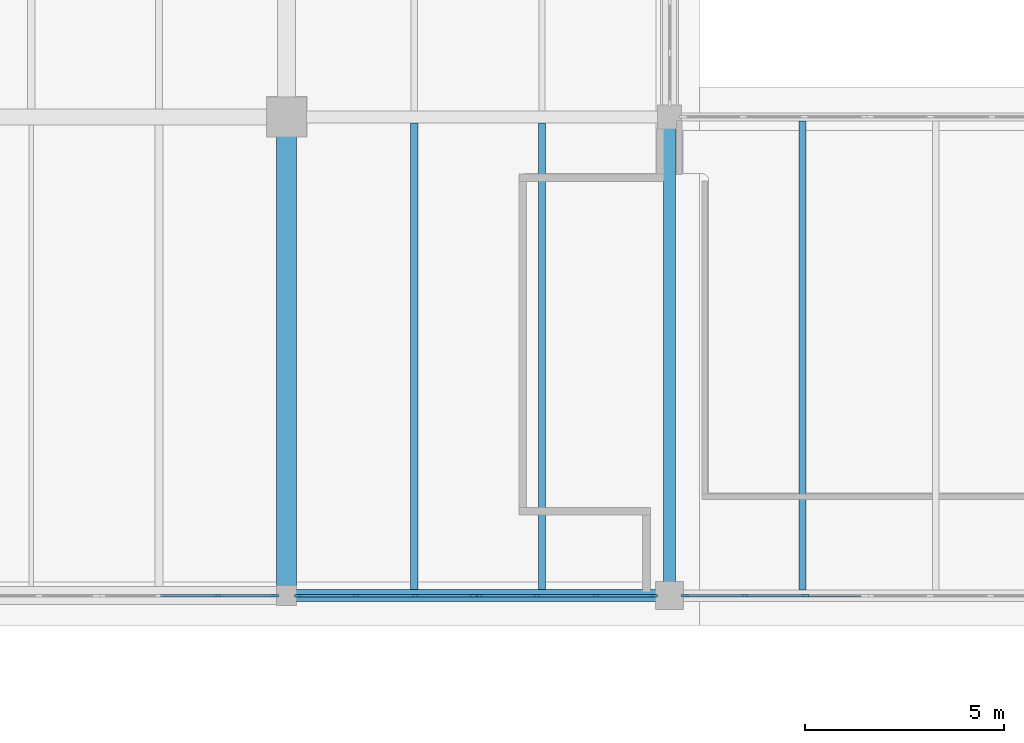
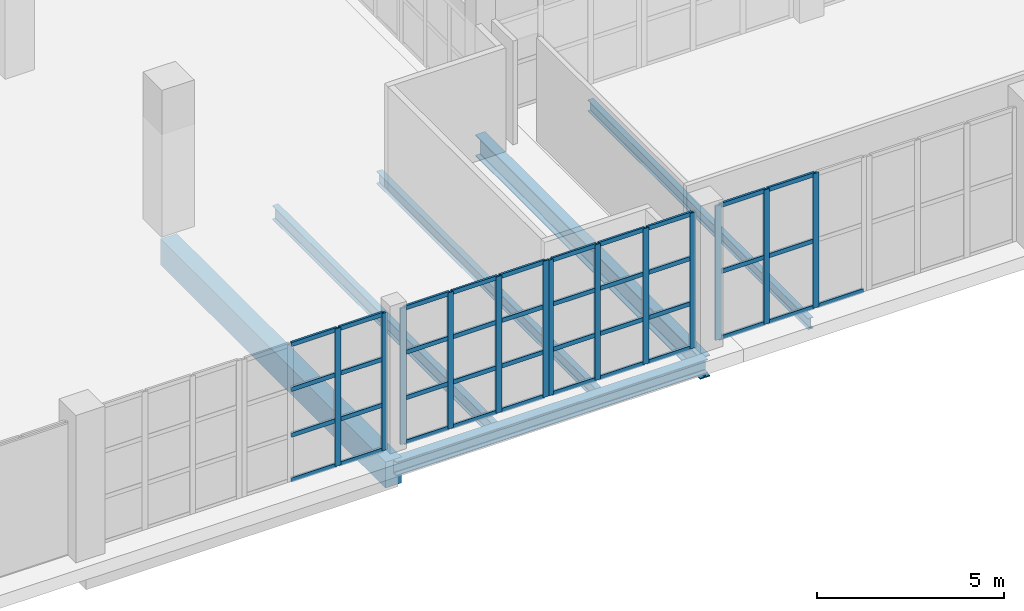
# One storey, part 28 of 121: 52 members, 6 beams, 4 elements without a shape of their own.
"""IFC4 building model written with IfcOpenShell, lengths in metres."""

from ifc_helpers import new_model, si_unit, direction, frame, origin, origin_2d, place, context, subcontext, project, spatial, rectangle, i_section, extrude, material, layer, layer_set, material_profile, profile_set, type_object, element, aggregate, save


model = new_model("IFC4")

# Units and contexts
model_context = context("Model", 3, precision=1e-05, world=origin(), true_north=direction((0.0, 1.0)))
body_context = subcontext(model_context, "Body", "Model", "MODEL_VIEW")
ifc_project = project(units=[si_unit("LENGTHUNIT", "METRE"), si_unit("AREAUNIT", "SQUARE_METRE"), si_unit("VOLUMEUNIT", "CUBIC_METRE"), si_unit("PLANEANGLEUNIT", "RADIAN"), si_unit("MASSUNIT", "GRAM", prefix="KILO")], contexts=[model_context])

# Site, building, storey
site_placement = place(None, origin())
site = spatial("IfcSite", under=ifc_project, at=site_placement, CompositionType="ELEMENT")
building_placement = place(site_placement, origin())
building = spatial("IfcBuilding", under=site, at=building_placement, Name="Zereglee Splitstone Museum", CompositionType="ELEMENT")
storey_placement = place(building_placement, origin())
storey = spatial("IfcBuildingStorey", under=building, at=storey_placement, Name="L00", CompositionType="ELEMENT", Elevation=0.0)

# Beam
ifc_material_1 = material(Name="Concrete C40/50", Category="concrete")
ifc_material_profile_1 = material_profile(ifc_material_1, rectangle(XDim=0.5, YDim=0.85009765625, at=origin_2d()), Name="RC 500x850")
ifc_profile_set_1 = profile_set([ifc_material_profile_1], Name="Concrete C40/50")
beam_type_1 = type_object("IfcBeamType", Name="BG-02", PredefinedType="BEAM", material=ifc_profile_set_1)
beam_1_placement = place(storey_placement, frame((135.60009765625, 9.60009765625, -0.844970703125), z_axis=(0.0, 1.0, 0.0), x_axis=(-1.0, 0.0, 0.0)))
element("IfcBeam", 1, at=beam_1_placement, inside=storey, type_object=beam_type_1, Name="Primary Girder L00 16 (9.6-21.6)", PredefinedType="BEAM", context=body_context, shape_type="SweptSolid", body=[
    extrude(rectangle(XDim=0.5, YDim=0.85009765625, at=origin_2d()), origin(), (0.0, 0.0, 1.0), 12.0),
])

# Curtain wall, members
ifc_material_2 = material(Name="Triple-glazed low-E argon glass and bronze-anodised aluminium", Category="aluminium")
ifc_layer_1 = layer(ifc_material_2, 0.179931640625)
ifc_layer_set_1 = layer_set([ifc_layer_1], Name="Triple-glazed low-E argon glass and bronze-anodised aluminium")
curtain_wall_type_1 = type_object("IfcCurtainWallType", Name="CW-0440-448", PredefinedType="USERDEFINED", material=ifc_layer_set_1)
curtain_wall_1_placement = place(storey_placement, origin())
curtain_wall_1 = element("IfcCurtainWall", 2, at=curtain_wall_1_placement, inside=storey, type_object=curtain_wall_type_1, Name="Glazed Curtain Wall CW-0440-448 (L00)", ObjectType="GLAZED CURTAIN WALL", PredefinedType="USERDEFINED")
ifc_material_3 = material(Name="Thermally broken bronze-anodised aluminium", Category="aluminium")
ifc_material_profile_2 = material_profile(ifc_material_3, rectangle(XDim=0.06494140625, YDim=0.179931640625, at=origin_2d()), Name="CW MULL 65x180")
ifc_profile_set_2 = profile_set([ifc_material_profile_2], Name="Thermally broken bronze-anodised aluminium")
member_type_1 = type_object("IfcMemberType", Name="CWM-01", PredefinedType="MULLION", material=ifc_profile_set_2)
member_1_placement = place(storey_placement, frame((133.874755859375, 9.60009765625, 0.0), z_axis=(0.0, 0.0, 1.0), x_axis=(0.0, 1.0, 0.0)))
member_1 = element("IfcMember", 3, at=member_1_placement, type_object=member_type_1, Name="CW-0440-448 mullion 3", PredefinedType="MULLION", context=body_context, shape_type="SweptSolid", body=[
    extrude(rectangle(XDim=0.06494140625, YDim=0.179931640625, at=origin_2d()), origin(), (0.0, 0.0, 1.0), 4.47998046875),
])
member_2_placement = place(storey_placement, frame((135.3095703125, 9.60009765625, 0.0), z_axis=(0.0, 0.0, 1.0), x_axis=(0.0, 1.0, 0.0)))
member_2 = element("IfcMember", 4, at=member_2_placement, type_object=member_type_1, Name="CW-0440-448 mullion 4", PredefinedType="MULLION", context=body_context, shape_type="SweptSolid", body=[
    extrude(rectangle(XDim=0.06494140625, YDim=0.179931640625, at=origin_2d()), origin(), (0.0, 0.0, 1.0), 4.47998046875),
])

ifc_layer_2 = layer(ifc_material_2, 0.179931640625)
ifc_layer_set_2 = layer_set([ifc_layer_2], Name="Triple-glazed low-E argon glass and bronze-anodised aluminium")
curtain_wall_type_2 = type_object("IfcCurtainWallType", Name="CW-0445-444", PredefinedType="USERDEFINED", material=ifc_layer_set_2)
curtain_wall_2_placement = place(storey_placement, origin())
curtain_wall_2 = element("IfcCurtainWall", 5, at=curtain_wall_2_placement, inside=storey, type_object=curtain_wall_type_2, Name="Glazed Curtain Wall CW-0445-444 (L00)", ObjectType="GLAZED CURTAIN WALL", PredefinedType="USERDEFINED")
member_3_placement = place(storey_placement, frame((135.890380859375, 9.60009765625, 0.0), z_axis=(0.0, 0.0, 1.0), x_axis=(0.0, 1.0, 0.0)))
member_3 = element("IfcMember", 6, at=member_3_placement, type_object=member_type_1, Name="CW-0445-444 mullion 1", PredefinedType="MULLION", context=body_context, shape_type="SweptSolid", body=[
    extrude(rectangle(XDim=0.06494140625, YDim=0.179931640625, at=origin_2d()), origin(), (0.0, 0.0, 1.0), 4.43994140625),
])
member_4_placement = place(storey_placement, frame((137.342041015625, 9.60009765625, 0.0), z_axis=(0.0, 0.0, 1.0), x_axis=(0.0, 1.0, 0.0)))
member_4 = element("IfcMember", 7, at=member_4_placement, type_object=member_type_1, Name="CW-0445-444 mullion 2", PredefinedType="MULLION", context=body_context, shape_type="SweptSolid", body=[
    extrude(rectangle(XDim=0.06494140625, YDim=0.179931640625, at=origin_2d()), origin(), (0.0, 0.0, 1.0), 4.43994140625),
])
member_5_placement = place(storey_placement, frame((138.825927734375, 9.60009765625, 0.0), z_axis=(0.0, 0.0, 1.0), x_axis=(0.0, 1.0, 0.0)))
member_5 = element("IfcMember", 8, at=member_5_placement, type_object=member_type_1, Name="CW-0445-444 mullion 3", PredefinedType="MULLION", context=body_context, shape_type="SweptSolid", body=[
    extrude(rectangle(XDim=0.06494140625, YDim=0.179931640625, at=origin_2d()), origin(), (0.0, 0.0, 1.0), 4.43994140625),
])
member_6_placement = place(storey_placement, frame((140.277587890625, 9.60009765625, 0.0), z_axis=(0.0, 0.0, 1.0), x_axis=(0.0, 1.0, 0.0)))
member_6 = element("IfcMember", 9, at=member_6_placement, type_object=member_type_1, Name="CW-0445-444 mullion 4", PredefinedType="MULLION", context=body_context, shape_type="SweptSolid", body=[
    extrude(rectangle(XDim=0.06494140625, YDim=0.179931640625, at=origin_2d()), origin(), (0.0, 0.0, 1.0), 4.43994140625),
])

ifc_layer_3 = layer(ifc_material_2, 0.179931640625)
ifc_layer_set_3 = layer_set([ifc_layer_3], Name="Triple-glazed low-E argon glass and bronze-anodised aluminium")
curtain_wall_type_3 = type_object("IfcCurtainWallType", Name="CW-0445-442", PredefinedType="USERDEFINED", material=ifc_layer_set_3)
curtain_wall_3_placement = place(storey_placement, origin())
curtain_wall_3 = element("IfcCurtainWall", 10, at=curtain_wall_3_placement, inside=storey, type_object=curtain_wall_type_3, Name="Glazed Curtain Wall CW-0445-442 (L00)", ObjectType="GLAZED CURTAIN WALL", PredefinedType="USERDEFINED")
member_7_placement = place(storey_placement, frame((140.422607421875, 9.60009765625, 0.0), z_axis=(0.0, 0.0, 1.0), x_axis=(0.0, 1.0, 0.0)))
member_7 = element("IfcMember", 11, at=member_7_placement, type_object=member_type_1, Name="CW-0445-442 mullion 1", PredefinedType="MULLION", context=body_context, shape_type="SweptSolid", body=[
    extrude(rectangle(XDim=0.06494140625, YDim=0.179931640625, at=origin_2d()), origin(), (0.0, 0.0, 1.0), 4.419921875),
])
member_8_placement = place(storey_placement, frame((141.8740234375, 9.60009765625, 0.0), z_axis=(0.0, 0.0, 1.0), x_axis=(0.0, 1.0, 0.0)))
member_8 = element("IfcMember", 12, at=member_8_placement, type_object=member_type_1, Name="CW-0445-442 mullion 2", PredefinedType="MULLION", context=body_context, shape_type="SweptSolid", body=[
    extrude(rectangle(XDim=0.06494140625, YDim=0.179931640625, at=origin_2d()), origin(), (0.0, 0.0, 1.0), 4.419921875),
])
member_9_placement = place(storey_placement, frame((143.35791015625, 9.60009765625, 0.0), z_axis=(0.0, 0.0, 1.0), x_axis=(0.0, 1.0, 0.0)))
member_9 = element("IfcMember", 13, at=member_9_placement, type_object=member_type_1, Name="CW-0445-442 mullion 3", PredefinedType="MULLION", context=body_context, shape_type="SweptSolid", body=[
    extrude(rectangle(XDim=0.06494140625, YDim=0.179931640625, at=origin_2d()), origin(), (0.0, 0.0, 1.0), 4.419921875),
])
member_10_placement = place(storey_placement, frame((144.8095703125, 9.60009765625, 0.0), z_axis=(0.0, 0.0, 1.0), x_axis=(0.0, 1.0, 0.0)))
member_10 = element("IfcMember", 14, at=member_10_placement, type_object=member_type_1, Name="CW-0445-442 mullion 4", PredefinedType="MULLION", context=body_context, shape_type="SweptSolid", body=[
    extrude(rectangle(XDim=0.06494140625, YDim=0.179931640625, at=origin_2d()), origin(), (0.0, 0.0, 1.0), 4.419921875),
])

ifc_layer_4 = layer(ifc_material_2, 0.179931640625)
ifc_layer_set_4 = layer_set([ifc_layer_4], Name="Triple-glazed low-E argon glass and bronze-anodised aluminium")
curtain_wall_type_4 = type_object("IfcCurtainWallType", Name="CW-0456-438", PredefinedType="USERDEFINED", material=ifc_layer_set_4)
curtain_wall_4_placement = place(storey_placement, origin())
curtain_wall_4 = element("IfcCurtainWall", 15, at=curtain_wall_4_placement, inside=storey, type_object=curtain_wall_type_4, Name="Glazed Curtain Wall CW-0456-438 (L00)", ObjectType="GLAZED CURTAIN WALL", PredefinedType="USERDEFINED")
member_11_placement = place(storey_placement, frame((145.590576171875, 9.60009765625, 0.0), z_axis=(0.0, 0.0, 1.0), x_axis=(0.0, 1.0, 0.0)))
member_11 = element("IfcMember", 16, at=member_11_placement, type_object=member_type_1, Name="CW-0456-438 mullion 1", PredefinedType="MULLION", context=body_context, shape_type="SweptSolid", body=[
    extrude(rectangle(XDim=0.06494140625, YDim=0.179931640625, at=origin_2d()), origin(), (0.0, 0.0, 1.0), 4.3798828125),
])
member_12_placement = place(storey_placement, frame((147.07958984375, 9.60009765625, 0.0), z_axis=(0.0, 0.0, 1.0), x_axis=(0.0, 1.0, 0.0)))
member_12 = element("IfcMember", 17, at=member_12_placement, type_object=member_type_1, Name="CW-0456-438 mullion 2", PredefinedType="MULLION", context=body_context, shape_type="SweptSolid", body=[
    extrude(rectangle(XDim=0.06494140625, YDim=0.179931640625, at=origin_2d()), origin(), (0.0, 0.0, 1.0), 4.3798828125),
])
member_13_placement = place(storey_placement, frame((148.60107421875, 9.60009765625, 0.0), z_axis=(0.0, 0.0, 1.0), x_axis=(0.0, 1.0, 0.0)))
member_13 = element("IfcMember", 18, at=member_13_placement, type_object=member_type_1, Name="CW-0456-438 mullion 3", PredefinedType="MULLION", context=body_context, shape_type="SweptSolid", body=[
    extrude(rectangle(XDim=0.06494140625, YDim=0.179931640625, at=origin_2d()), origin(), (0.0, 0.0, 1.0), 4.3798828125),
])

# Member
ifc_material_profile_3 = material_profile(ifc_material_3, rectangle(XDim=0.06494140625, YDim=0.139892578125, at=origin_2d()), Name="CW TRAN 65x140")
ifc_profile_set_3 = profile_set([ifc_material_profile_3], Name="Thermally broken bronze-anodised aluminium")
member_type_2 = type_object("IfcMemberType", Name="CWT-01", PredefinedType="USERDEFINED", material=ifc_profile_set_3)
member_14_placement = place(storey_placement, frame((132.43994140625, 9.60009765625, 0.032470703125), z_axis=(1.0, 0.0, 0.0), x_axis=(0.0, 1.0, 0.0)))
member_14 = element("IfcMember", 19, at=member_14_placement, type_object=member_type_2, Name="CW-0440-448 transom 2.1", ObjectType="TRANSOM", PredefinedType="USERDEFINED", context=body_context, shape_type="SweptSolid", body=[
    extrude(rectangle(XDim=0.06494140625, YDim=0.139892578125, at=origin_2d()), origin(), (0.0, 0.0, 1.0), 1.40234375),
])

member_15_placement = place(storey_placement, frame((132.43994140625, 9.60009765625, 1.493408203125), z_axis=(1.0, 0.0, 0.0), x_axis=(0.0, 1.0, 0.0)))
member_15 = element("IfcMember", 20, at=member_15_placement, type_object=member_type_2, Name="CW-0440-448 transom 2.2", ObjectType="TRANSOM", PredefinedType="USERDEFINED", context=body_context, shape_type="SweptSolid", body=[
    extrude(rectangle(XDim=0.06494140625, YDim=0.139892578125, at=origin_2d()), origin(), (0.0, 0.0, 1.0), 1.40234375),
])

member_16_placement = place(storey_placement, frame((132.43994140625, 9.60009765625, 2.98681640625), z_axis=(1.0, 0.0, 0.0), x_axis=(0.0, 1.0, 0.0)))
member_16 = element("IfcMember", 21, at=member_16_placement, type_object=member_type_2, Name="CW-0440-448 transom 2.3", ObjectType="TRANSOM", PredefinedType="USERDEFINED", context=body_context, shape_type="SweptSolid", body=[
    extrude(rectangle(XDim=0.06494140625, YDim=0.139892578125, at=origin_2d()), origin(), (0.0, 0.0, 1.0), 1.40234375),
])

member_17_placement = place(storey_placement, frame((132.43994140625, 9.60009765625, 4.447509765625), z_axis=(1.0, 0.0, 0.0), x_axis=(0.0, 1.0, 0.0)))
member_17 = element("IfcMember", 22, at=member_17_placement, type_object=member_type_2, Name="CW-0440-448 transom 2.4", ObjectType="TRANSOM", PredefinedType="USERDEFINED", context=body_context, shape_type="SweptSolid", body=[
    extrude(rectangle(XDim=0.06494140625, YDim=0.139892578125, at=origin_2d()), origin(), (0.0, 0.0, 1.0), 1.40234375),
])

member_18_placement = place(storey_placement, frame((133.9072265625, 9.60009765625, 0.032470703125), z_axis=(1.0, 0.0, 0.0), x_axis=(0.0, 1.0, 0.0)))
member_18 = element("IfcMember", 23, at=member_18_placement, type_object=member_type_2, Name="CW-0440-448 transom 3.1", ObjectType="TRANSOM", PredefinedType="USERDEFINED", context=body_context, shape_type="SweptSolid", body=[
    extrude(rectangle(XDim=0.06494140625, YDim=0.139892578125, at=origin_2d()), origin(), (0.0, 0.0, 1.0), 1.369873046875),
])

member_19_placement = place(storey_placement, frame((133.9072265625, 9.60009765625, 1.493408203125), z_axis=(1.0, 0.0, 0.0), x_axis=(0.0, 1.0, 0.0)))
member_19 = element("IfcMember", 24, at=member_19_placement, type_object=member_type_2, Name="CW-0440-448 transom 3.2", ObjectType="TRANSOM", PredefinedType="USERDEFINED", context=body_context, shape_type="SweptSolid", body=[
    extrude(rectangle(XDim=0.06494140625, YDim=0.139892578125, at=origin_2d()), origin(), (0.0, 0.0, 1.0), 1.369873046875),
])

member_20_placement = place(storey_placement, frame((133.9072265625, 9.60009765625, 2.98681640625), z_axis=(1.0, 0.0, 0.0), x_axis=(0.0, 1.0, 0.0)))
member_20 = element("IfcMember", 25, at=member_20_placement, type_object=member_type_2, Name="CW-0440-448 transom 3.3", ObjectType="TRANSOM", PredefinedType="USERDEFINED", context=body_context, shape_type="SweptSolid", body=[
    extrude(rectangle(XDim=0.06494140625, YDim=0.139892578125, at=origin_2d()), origin(), (0.0, 0.0, 1.0), 1.369873046875),
])

member_21_placement = place(storey_placement, frame((133.9072265625, 9.60009765625, 4.447509765625), z_axis=(1.0, 0.0, 0.0), x_axis=(0.0, 1.0, 0.0)))
member_21 = element("IfcMember", 26, at=member_21_placement, type_object=member_type_2, Name="CW-0440-448 transom 3.4", ObjectType="TRANSOM", PredefinedType="USERDEFINED", context=body_context, shape_type="SweptSolid", body=[
    extrude(rectangle(XDim=0.06494140625, YDim=0.139892578125, at=origin_2d()), origin(), (0.0, 0.0, 1.0), 1.369873046875),
])

aggregate(curtain_wall_1, [member_1, member_2, member_14, member_15, member_16, member_17, member_18, member_19, member_20, member_21])

member_22_placement = place(storey_placement, frame((135.923095703125, 9.60009765625, 0.032470703125), z_axis=(1.0, 0.0, 0.0), x_axis=(0.0, 1.0, 0.0)))
member_22 = element("IfcMember", 27, at=member_22_placement, type_object=member_type_2, Name="CW-0445-444 transom 1.1", ObjectType="TRANSOM", PredefinedType="USERDEFINED", context=body_context, shape_type="SweptSolid", body=[
    extrude(rectangle(XDim=0.06494140625, YDim=0.139892578125, at=origin_2d()), origin(), (0.0, 0.0, 1.0), 1.386474609375),
])

member_23_placement = place(storey_placement, frame((135.923095703125, 9.60009765625, 1.47998046875), z_axis=(1.0, 0.0, 0.0), x_axis=(0.0, 1.0, 0.0)))
member_23 = element("IfcMember", 28, at=member_23_placement, type_object=member_type_2, Name="CW-0445-444 transom 1.2", ObjectType="TRANSOM", PredefinedType="USERDEFINED", context=body_context, shape_type="SweptSolid", body=[
    extrude(rectangle(XDim=0.06494140625, YDim=0.139892578125, at=origin_2d()), origin(), (0.0, 0.0, 1.0), 1.386474609375),
])

member_24_placement = place(storey_placement, frame((135.923095703125, 9.60009765625, 2.9599609375), z_axis=(1.0, 0.0, 0.0), x_axis=(0.0, 1.0, 0.0)))
member_24 = element("IfcMember", 29, at=member_24_placement, type_object=member_type_2, Name="CW-0445-444 transom 1.3", ObjectType="TRANSOM", PredefinedType="USERDEFINED", context=body_context, shape_type="SweptSolid", body=[
    extrude(rectangle(XDim=0.06494140625, YDim=0.139892578125, at=origin_2d()), origin(), (0.0, 0.0, 1.0), 1.386474609375),
])

member_25_placement = place(storey_placement, frame((135.923095703125, 9.60009765625, 4.407470703125), z_axis=(1.0, 0.0, 0.0), x_axis=(0.0, 1.0, 0.0)))
member_25 = element("IfcMember", 30, at=member_25_placement, type_object=member_type_2, Name="CW-0445-444 transom 1.4", ObjectType="TRANSOM", PredefinedType="USERDEFINED", context=body_context, shape_type="SweptSolid", body=[
    extrude(rectangle(XDim=0.06494140625, YDim=0.139892578125, at=origin_2d()), origin(), (0.0, 0.0, 1.0), 1.386474609375),
])

member_26_placement = place(storey_placement, frame((137.37451171875, 9.60009765625, 0.032470703125), z_axis=(1.0, 0.0, 0.0), x_axis=(0.0, 1.0, 0.0)))
member_26 = element("IfcMember", 31, at=member_26_placement, type_object=member_type_2, Name="CW-0445-444 transom 2.1", ObjectType="TRANSOM", PredefinedType="USERDEFINED", context=body_context, shape_type="SweptSolid", body=[
    extrude(rectangle(XDim=0.06494140625, YDim=0.139892578125, at=origin_2d()), origin(), (0.0, 0.0, 1.0), 1.4189453125),
])

member_27_placement = place(storey_placement, frame((137.37451171875, 9.60009765625, 1.47998046875), z_axis=(1.0, 0.0, 0.0), x_axis=(0.0, 1.0, 0.0)))
member_27 = element("IfcMember", 32, at=member_27_placement, type_object=member_type_2, Name="CW-0445-444 transom 2.2", ObjectType="TRANSOM", PredefinedType="USERDEFINED", context=body_context, shape_type="SweptSolid", body=[
    extrude(rectangle(XDim=0.06494140625, YDim=0.139892578125, at=origin_2d()), origin(), (0.0, 0.0, 1.0), 1.4189453125),
])

member_28_placement = place(storey_placement, frame((137.37451171875, 9.60009765625, 2.9599609375), z_axis=(1.0, 0.0, 0.0), x_axis=(0.0, 1.0, 0.0)))
member_28 = element("IfcMember", 33, at=member_28_placement, type_object=member_type_2, Name="CW-0445-444 transom 2.3", ObjectType="TRANSOM", PredefinedType="USERDEFINED", context=body_context, shape_type="SweptSolid", body=[
    extrude(rectangle(XDim=0.06494140625, YDim=0.139892578125, at=origin_2d()), origin(), (0.0, 0.0, 1.0), 1.4189453125),
])

member_29_placement = place(storey_placement, frame((137.37451171875, 9.60009765625, 4.407470703125), z_axis=(1.0, 0.0, 0.0), x_axis=(0.0, 1.0, 0.0)))
member_29 = element("IfcMember", 34, at=member_29_placement, type_object=member_type_2, Name="CW-0445-444 transom 2.4", ObjectType="TRANSOM", PredefinedType="USERDEFINED", context=body_context, shape_type="SweptSolid", body=[
    extrude(rectangle(XDim=0.06494140625, YDim=0.139892578125, at=origin_2d()), origin(), (0.0, 0.0, 1.0), 1.4189453125),
])

member_30_placement = place(storey_placement, frame((138.8583984375, 9.60009765625, 0.032470703125), z_axis=(1.0, 0.0, 0.0), x_axis=(0.0, 1.0, 0.0)))
member_30 = element("IfcMember", 35, at=member_30_placement, type_object=member_type_2, Name="CW-0445-444 transom 3.1", ObjectType="TRANSOM", PredefinedType="USERDEFINED", context=body_context, shape_type="SweptSolid", body=[
    extrude(rectangle(XDim=0.06494140625, YDim=0.139892578125, at=origin_2d()), origin(), (0.0, 0.0, 1.0), 1.38671875),
])

member_31_placement = place(storey_placement, frame((138.8583984375, 9.60009765625, 1.47998046875), z_axis=(1.0, 0.0, 0.0), x_axis=(0.0, 1.0, 0.0)))
member_31 = element("IfcMember", 36, at=member_31_placement, type_object=member_type_2, Name="CW-0445-444 transom 3.2", ObjectType="TRANSOM", PredefinedType="USERDEFINED", context=body_context, shape_type="SweptSolid", body=[
    extrude(rectangle(XDim=0.06494140625, YDim=0.139892578125, at=origin_2d()), origin(), (0.0, 0.0, 1.0), 1.38671875),
])

member_32_placement = place(storey_placement, frame((138.8583984375, 9.60009765625, 2.9599609375), z_axis=(1.0, 0.0, 0.0), x_axis=(0.0, 1.0, 0.0)))
member_32 = element("IfcMember", 37, at=member_32_placement, type_object=member_type_2, Name="CW-0445-444 transom 3.3", ObjectType="TRANSOM", PredefinedType="USERDEFINED", context=body_context, shape_type="SweptSolid", body=[
    extrude(rectangle(XDim=0.06494140625, YDim=0.139892578125, at=origin_2d()), origin(), (0.0, 0.0, 1.0), 1.38671875),
])

member_33_placement = place(storey_placement, frame((138.8583984375, 9.60009765625, 4.407470703125), z_axis=(1.0, 0.0, 0.0), x_axis=(0.0, 1.0, 0.0)))
member_33 = element("IfcMember", 38, at=member_33_placement, type_object=member_type_2, Name="CW-0445-444 transom 3.4", ObjectType="TRANSOM", PredefinedType="USERDEFINED", context=body_context, shape_type="SweptSolid", body=[
    extrude(rectangle(XDim=0.06494140625, YDim=0.139892578125, at=origin_2d()), origin(), (0.0, 0.0, 1.0), 1.38671875),
])

aggregate(curtain_wall_2, [member_3, member_4, member_5, member_6, member_22, member_23, member_24, member_25, member_26, member_27, member_28, member_29, member_30, member_31, member_32, member_33])

member_34_placement = place(storey_placement, frame((140.455078125, 9.60009765625, 0.032470703125), z_axis=(1.0, 0.0, 0.0), x_axis=(0.0, 1.0, 0.0)))
member_34 = element("IfcMember", 39, at=member_34_placement, type_object=member_type_2, Name="CW-0445-442 transom 1.1", ObjectType="TRANSOM", PredefinedType="USERDEFINED", context=body_context, shape_type="SweptSolid", body=[
    extrude(rectangle(XDim=0.06494140625, YDim=0.139892578125, at=origin_2d()), origin(), (0.0, 0.0, 1.0), 1.386474609375),
])

member_35_placement = place(storey_placement, frame((140.455078125, 9.60009765625, 1.473388671875), z_axis=(1.0, 0.0, 0.0), x_axis=(0.0, 1.0, 0.0)))
member_35 = element("IfcMember", 40, at=member_35_placement, type_object=member_type_2, Name="CW-0445-442 transom 1.2", ObjectType="TRANSOM", PredefinedType="USERDEFINED", context=body_context, shape_type="SweptSolid", body=[
    extrude(rectangle(XDim=0.06494140625, YDim=0.139892578125, at=origin_2d()), origin(), (0.0, 0.0, 1.0), 1.386474609375),
])

member_36_placement = place(storey_placement, frame((140.455078125, 9.60009765625, 2.94677734375), z_axis=(1.0, 0.0, 0.0), x_axis=(0.0, 1.0, 0.0)))
member_36 = element("IfcMember", 41, at=member_36_placement, type_object=member_type_2, Name="CW-0445-442 transom 1.3", ObjectType="TRANSOM", PredefinedType="USERDEFINED", context=body_context, shape_type="SweptSolid", body=[
    extrude(rectangle(XDim=0.06494140625, YDim=0.139892578125, at=origin_2d()), origin(), (0.0, 0.0, 1.0), 1.386474609375),
])

member_37_placement = place(storey_placement, frame((140.455078125, 9.60009765625, 4.387451171875), z_axis=(1.0, 0.0, 0.0), x_axis=(0.0, 1.0, 0.0)))
member_37 = element("IfcMember", 42, at=member_37_placement, type_object=member_type_2, Name="CW-0445-442 transom 1.4", ObjectType="TRANSOM", PredefinedType="USERDEFINED", context=body_context, shape_type="SweptSolid", body=[
    extrude(rectangle(XDim=0.06494140625, YDim=0.139892578125, at=origin_2d()), origin(), (0.0, 0.0, 1.0), 1.386474609375),
])

member_38_placement = place(storey_placement, frame((141.906494140625, 9.60009765625, 0.032470703125), z_axis=(1.0, 0.0, 0.0), x_axis=(0.0, 1.0, 0.0)))
member_38 = element("IfcMember", 43, at=member_38_placement, type_object=member_type_2, Name="CW-0445-442 transom 2.1", ObjectType="TRANSOM", PredefinedType="USERDEFINED", context=body_context, shape_type="SweptSolid", body=[
    extrude(rectangle(XDim=0.06494140625, YDim=0.139892578125, at=origin_2d()), origin(), (0.0, 0.0, 1.0), 1.4189453125),
])

member_39_placement = place(storey_placement, frame((141.906494140625, 9.60009765625, 1.473388671875), z_axis=(1.0, 0.0, 0.0), x_axis=(0.0, 1.0, 0.0)))
member_39 = element("IfcMember", 44, at=member_39_placement, type_object=member_type_2, Name="CW-0445-442 transom 2.2", ObjectType="TRANSOM", PredefinedType="USERDEFINED", context=body_context, shape_type="SweptSolid", body=[
    extrude(rectangle(XDim=0.06494140625, YDim=0.139892578125, at=origin_2d()), origin(), (0.0, 0.0, 1.0), 1.4189453125),
])

member_40_placement = place(storey_placement, frame((141.906494140625, 9.60009765625, 2.94677734375), z_axis=(1.0, 0.0, 0.0), x_axis=(0.0, 1.0, 0.0)))
member_40 = element("IfcMember", 45, at=member_40_placement, type_object=member_type_2, Name="CW-0445-442 transom 2.3", ObjectType="TRANSOM", PredefinedType="USERDEFINED", context=body_context, shape_type="SweptSolid", body=[
    extrude(rectangle(XDim=0.06494140625, YDim=0.139892578125, at=origin_2d()), origin(), (0.0, 0.0, 1.0), 1.4189453125),
])

member_41_placement = place(storey_placement, frame((141.906494140625, 9.60009765625, 4.387451171875), z_axis=(1.0, 0.0, 0.0), x_axis=(0.0, 1.0, 0.0)))
member_41 = element("IfcMember", 46, at=member_41_placement, type_object=member_type_2, Name="CW-0445-442 transom 2.4", ObjectType="TRANSOM", PredefinedType="USERDEFINED", context=body_context, shape_type="SweptSolid", body=[
    extrude(rectangle(XDim=0.06494140625, YDim=0.139892578125, at=origin_2d()), origin(), (0.0, 0.0, 1.0), 1.4189453125),
])

member_42_placement = place(storey_placement, frame((143.390380859375, 9.60009765625, 0.032470703125), z_axis=(1.0, 0.0, 0.0), x_axis=(0.0, 1.0, 0.0)))
member_42 = element("IfcMember", 47, at=member_42_placement, type_object=member_type_2, Name="CW-0445-442 transom 3.1", ObjectType="TRANSOM", PredefinedType="USERDEFINED", context=body_context, shape_type="SweptSolid", body=[
    extrude(rectangle(XDim=0.06494140625, YDim=0.139892578125, at=origin_2d()), origin(), (0.0, 0.0, 1.0), 1.38671875),
])

member_43_placement = place(storey_placement, frame((143.390380859375, 9.60009765625, 1.473388671875), z_axis=(1.0, 0.0, 0.0), x_axis=(0.0, 1.0, 0.0)))
member_43 = element("IfcMember", 48, at=member_43_placement, type_object=member_type_2, Name="CW-0445-442 transom 3.2", ObjectType="TRANSOM", PredefinedType="USERDEFINED", context=body_context, shape_type="SweptSolid", body=[
    extrude(rectangle(XDim=0.06494140625, YDim=0.139892578125, at=origin_2d()), origin(), (0.0, 0.0, 1.0), 1.38671875),
])

member_44_placement = place(storey_placement, frame((143.390380859375, 9.60009765625, 2.94677734375), z_axis=(1.0, 0.0, 0.0), x_axis=(0.0, 1.0, 0.0)))
member_44 = element("IfcMember", 49, at=member_44_placement, type_object=member_type_2, Name="CW-0445-442 transom 3.3", ObjectType="TRANSOM", PredefinedType="USERDEFINED", context=body_context, shape_type="SweptSolid", body=[
    extrude(rectangle(XDim=0.06494140625, YDim=0.139892578125, at=origin_2d()), origin(), (0.0, 0.0, 1.0), 1.38671875),
])

member_45_placement = place(storey_placement, frame((143.390380859375, 9.60009765625, 4.387451171875), z_axis=(1.0, 0.0, 0.0), x_axis=(0.0, 1.0, 0.0)))
member_45 = element("IfcMember", 50, at=member_45_placement, type_object=member_type_2, Name="CW-0445-442 transom 3.4", ObjectType="TRANSOM", PredefinedType="USERDEFINED", context=body_context, shape_type="SweptSolid", body=[
    extrude(rectangle(XDim=0.06494140625, YDim=0.139892578125, at=origin_2d()), origin(), (0.0, 0.0, 1.0), 1.38671875),
])

aggregate(curtain_wall_3, [member_7, member_8, member_9, member_10, member_34, member_35, member_36, member_37, member_38, member_39, member_40, member_41, member_42, member_43, member_44, member_45])

member_46_placement = place(storey_placement, frame((145.623046875, 9.60009765625, 0.032470703125), z_axis=(1.0, 0.0, 0.0), x_axis=(0.0, 1.0, 0.0)))
member_46 = element("IfcMember", 51, at=member_46_placement, type_object=member_type_2, Name="CW-0456-438 transom 1.1", ObjectType="TRANSOM", PredefinedType="USERDEFINED", context=body_context, shape_type="SweptSolid", body=[
    extrude(rectangle(XDim=0.06494140625, YDim=0.139892578125, at=origin_2d()), origin(), (0.0, 0.0, 1.0), 1.424072265625),
])

member_47_placement = place(storey_placement, frame((145.623046875, 9.60009765625, 2.18994140625), z_axis=(1.0, 0.0, 0.0), x_axis=(0.0, 1.0, 0.0)))
member_47 = element("IfcMember", 52, at=member_47_placement, type_object=member_type_2, Name="CW-0456-438 transom 1.2", ObjectType="TRANSOM", PredefinedType="USERDEFINED", context=body_context, shape_type="SweptSolid", body=[
    extrude(rectangle(XDim=0.06494140625, YDim=0.139892578125, at=origin_2d()), origin(), (0.0, 0.0, 1.0), 1.424072265625),
])

member_48_placement = place(storey_placement, frame((145.623046875, 9.60009765625, 4.347412109375), z_axis=(1.0, 0.0, 0.0), x_axis=(0.0, 1.0, 0.0)))
member_48 = element("IfcMember", 53, at=member_48_placement, type_object=member_type_2, Name="CW-0456-438 transom 1.3", ObjectType="TRANSOM", PredefinedType="USERDEFINED", context=body_context, shape_type="SweptSolid", body=[
    extrude(rectangle(XDim=0.06494140625, YDim=0.139892578125, at=origin_2d()), origin(), (0.0, 0.0, 1.0), 1.424072265625),
])

member_49_placement = place(storey_placement, frame((147.112060546875, 9.60009765625, 0.032470703125), z_axis=(1.0, 0.0, 0.0), x_axis=(0.0, 1.0, 0.0)))
member_49 = element("IfcMember", 54, at=member_49_placement, type_object=member_type_2, Name="CW-0456-438 transom 2.1", ObjectType="TRANSOM", PredefinedType="USERDEFINED", context=body_context, shape_type="SweptSolid", body=[
    extrude(rectangle(XDim=0.06494140625, YDim=0.139892578125, at=origin_2d()), origin(), (0.0, 0.0, 1.0), 1.45654296875),
])

member_50_placement = place(storey_placement, frame((147.112060546875, 9.60009765625, 2.18994140625), z_axis=(1.0, 0.0, 0.0), x_axis=(0.0, 1.0, 0.0)))
member_50 = element("IfcMember", 55, at=member_50_placement, type_object=member_type_2, Name="CW-0456-438 transom 2.2", ObjectType="TRANSOM", PredefinedType="USERDEFINED", context=body_context, shape_type="SweptSolid", body=[
    extrude(rectangle(XDim=0.06494140625, YDim=0.139892578125, at=origin_2d()), origin(), (0.0, 0.0, 1.0), 1.45654296875),
])

member_51_placement = place(storey_placement, frame((147.112060546875, 9.60009765625, 4.347412109375), z_axis=(1.0, 0.0, 0.0), x_axis=(0.0, 1.0, 0.0)))
member_51 = element("IfcMember", 56, at=member_51_placement, type_object=member_type_2, Name="CW-0456-438 transom 2.3", ObjectType="TRANSOM", PredefinedType="USERDEFINED", context=body_context, shape_type="SweptSolid", body=[
    extrude(rectangle(XDim=0.06494140625, YDim=0.139892578125, at=origin_2d()), origin(), (0.0, 0.0, 1.0), 1.45654296875),
])

member_52_placement = place(storey_placement, frame((148.633544921875, 9.60009765625, 0.032470703125), z_axis=(1.0, 0.0, 0.0), x_axis=(0.0, 1.0, 0.0)))
member_52 = element("IfcMember", 57, at=member_52_placement, type_object=member_type_2, Name="CW-0456-438 transom 3.1", ObjectType="TRANSOM", PredefinedType="USERDEFINED", context=body_context, shape_type="SweptSolid", body=[
    extrude(rectangle(XDim=0.06494140625, YDim=0.139892578125, at=origin_2d()), origin(), (0.0, 0.0, 1.0), 1.424072265625),
])

aggregate(curtain_wall_4, [member_11, member_12, member_13, member_46, member_47, member_48, member_49, member_50, member_51, member_52])

# Beams
ifc_material_4 = material(Name="Steel S355J2", Category="steel")
ifc_material_profile_4 = material_profile(ifc_material_4, i_section(OverallWidth=0.300048828125, OverallDepth=0.699951171875, WebThickness=0.01708984375, FlangeThickness=0.031982421875, FilletRadius=0.027099609375, at=origin_2d()), Name="HE 700 B")
ifc_profile_set_4 = profile_set([ifc_material_profile_4], Name="Steel S355J2")
beam_type_2 = type_object("IfcBeamType", Name="BG-08", PredefinedType="BEAM", material=ifc_profile_set_4)
beam_2_placement = place(storey_placement, frame((145.199951171875, 9.60009765625, -0.77001953125), z_axis=(0.0, 1.0, 0.0), x_axis=(-1.0, 0.0, 0.0)))
element("IfcBeam", 58, at=beam_2_placement, inside=storey, type_object=beam_type_2, Name="Primary Girder L00 17 (9.6-21.6)", PredefinedType="BEAM", context=body_context, shape_type="SweptSolid", body=[
    extrude(i_section(OverallWidth=0.300048828125, OverallDepth=0.699951171875, WebThickness=0.01708984375, FlangeThickness=0.031982421875, FilletRadius=0.027099609375, at=origin_2d()), origin(), (0.0, 0.0, 1.0), 12.0),
])
ifc_material_profile_5 = material_profile(ifc_material_4, i_section(OverallWidth=0.169921875, OverallDepth=0.360107421875, WebThickness=0.008056640625, FlangeThickness=0.0126953125, FilletRadius=0.01806640625, at=origin_2d()), Name="IPE 360")
ifc_profile_set_5 = profile_set([ifc_material_profile_5], Name="Steel S355J2")
beam_type_3 = type_object("IfcBeamType", Name="BJ-04", PredefinedType="JOIST", material=ifc_profile_set_5)
beam_3_placement = place(storey_placement, frame((148.533203125, 9.739990234375, -0.60009765625), z_axis=(0.0, 1.0, 0.0), x_axis=(-1.0, 0.0, 0.0)))
element("IfcBeam", 59, at=beam_3_placement, inside=storey, type_object=beam_type_3, Name="Secondary Floor Joist L00-0290", PredefinedType="JOIST", context=body_context, shape_type="SweptSolid", body=[
    extrude(i_section(OverallWidth=0.169921875, OverallDepth=0.360107421875, WebThickness=0.008056640625, FlangeThickness=0.0126953125, FilletRadius=0.01806640625, at=origin_2d()), origin(), (0.0, 0.0, 1.0), 11.760009765625),
])
ifc_material_profile_6 = material_profile(ifc_material_4, i_section(OverallWidth=0.179931640625, OverallDepth=0.39990234375, WebThickness=0.008544921875, FlangeThickness=0.013427734375, FilletRadius=0.02099609375, at=origin_2d()), Name="IPE 400")
ifc_profile_set_6 = profile_set([ifc_material_profile_6], Name="Steel S355J2")
beam_type_4 = type_object("IfcBeamType", Name="BJ-03", PredefinedType="JOIST", material=ifc_profile_set_6)
beam_4_placement = place(storey_placement, frame((142.0, 9.75, -0.6201171875), z_axis=(0.0, 1.0, 0.0), x_axis=(-1.0, 0.0, 0.0)))
element("IfcBeam", 60, at=beam_4_placement, inside=storey, type_object=beam_type_4, Name="Secondary Floor Joist L00-0289", PredefinedType="JOIST", context=body_context, shape_type="SweptSolid", body=[
    extrude(i_section(OverallWidth=0.179931640625, OverallDepth=0.39990234375, WebThickness=0.008544921875, FlangeThickness=0.013427734375, FilletRadius=0.02099609375, at=origin_2d()), origin(), (0.0, 0.0, 1.0), 11.699951171875),
])
ifc_material_profile_7 = material_profile(ifc_material_4, i_section(OverallWidth=0.18994140625, OverallDepth=0.449951171875, WebThickness=0.009521484375, FlangeThickness=0.0146484375, FilletRadius=0.02099609375, at=origin_2d()), Name="IPE 450")
ifc_profile_set_7 = profile_set([ifc_material_profile_7], Name="Steel S355J2")
beam_type_5 = type_object("IfcBeamType", Name="BJ-02", PredefinedType="JOIST", material=ifc_profile_set_7)
beam_5_placement = place(storey_placement, frame((138.800048828125, 9.75, -0.64501953125), z_axis=(0.0, 1.0, 0.0), x_axis=(-1.0, 0.0, 0.0)))
element("IfcBeam", 61, at=beam_5_placement, inside=storey, type_object=beam_type_5, Name="Secondary Floor Joist L00-0288", PredefinedType="JOIST", context=body_context, shape_type="SweptSolid", body=[
    extrude(i_section(OverallWidth=0.18994140625, OverallDepth=0.449951171875, WebThickness=0.009521484375, FlangeThickness=0.0146484375, FilletRadius=0.02099609375, at=origin_2d()), origin(), (0.0, 0.0, 1.0), 11.699951171875),
])
ifc_material_profile_8 = material_profile(ifc_material_4, i_section(OverallWidth=0.300048828125, OverallDepth=0.449951171875, WebThickness=0.013916015625, FlangeThickness=0.02587890625, FilletRadius=0.027099609375, at=origin_2d()), Name="HE 450 B")
ifc_profile_set_8 = profile_set([ifc_material_profile_8], Name="Steel S355J2")
beam_type_6 = type_object("IfcBeamType", Name="SP-02", PredefinedType="SPANDREL", material=ifc_profile_set_8)
beam_6_placement = place(storey_placement, frame((135.60009765625, 9.60009765625, -0.64501953125), z_axis=(1.0, 0.0, 0.0), x_axis=(0.0, 1.0, 0.0)))
element("IfcBeam", 62, at=beam_6_placement, inside=storey, type_object=beam_type_6, Name="Primary Girder L00 B (135.6-145.2)", PredefinedType="SPANDREL", context=body_context, shape_type="SweptSolid", body=[
    extrude(i_section(OverallWidth=0.300048828125, OverallDepth=0.449951171875, WebThickness=0.013916015625, FlangeThickness=0.02587890625, FilletRadius=0.027099609375, at=origin_2d()), origin(), (0.0, 0.0, 1.0), 9.599853515625),
])

save(model, "model.ifc")
